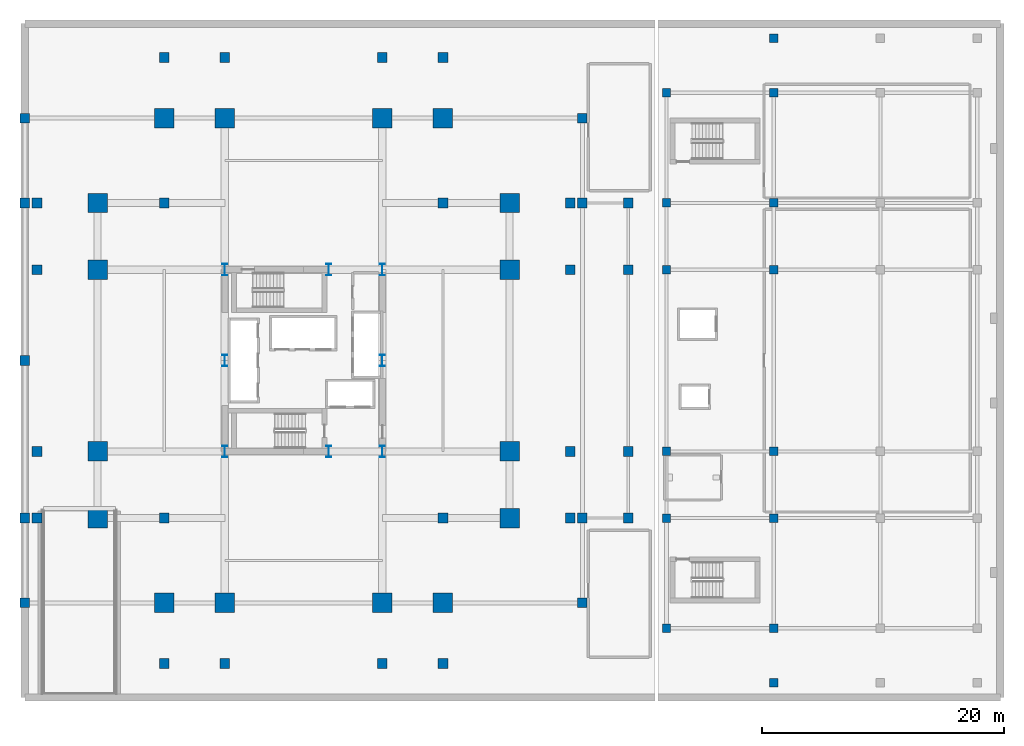
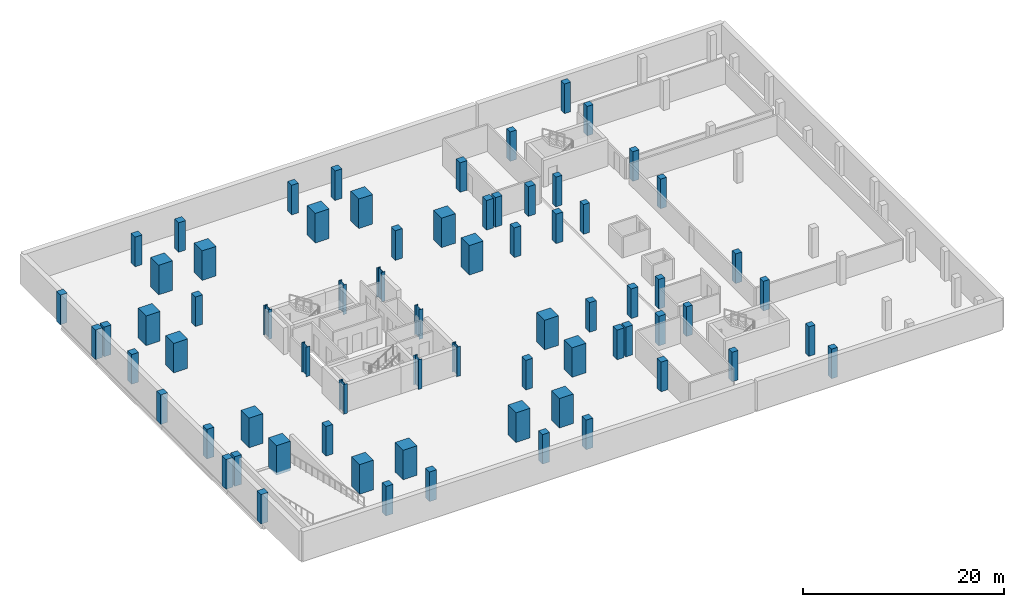
# One storey, part 1 of 11: 71 columns.
"""IFC4 building model written with IfcOpenShell, lengths in metres."""

from ifc_helpers import new_model, si_unit, direction, frame, origin, origin_2d, place, context, subcontext, project, spatial, rectangle, i_section, extrude, material, material_profile, profile_set, type_object, element, save


model = new_model("IFC4")

# Units and contexts
model_context = context("Model", 3, precision=1e-05, world=origin(), true_north=direction((0.0, 1.0)))
body_context = subcontext(model_context, "Body", "Model", "MODEL_VIEW")
ifc_project = project(units=[si_unit("LENGTHUNIT", "METRE"), si_unit("AREAUNIT", "SQUARE_METRE"), si_unit("VOLUMEUNIT", "CUBIC_METRE"), si_unit("PLANEANGLEUNIT", "RADIAN"), si_unit("MASSUNIT", "GRAM", prefix="KILO")], contexts=[model_context])

# Site, building, storey
site_placement = place(None, origin())
site = spatial("IfcSite", under=ifc_project, at=site_placement, CompositionType="ELEMENT")
building_placement = place(site_placement, origin())
building = spatial("IfcBuilding", under=site, at=building_placement, Name="Barlavira Tower and Art Museum", CompositionType="ELEMENT")
storey_placement = place(building_placement, frame((0.0, 0.0, -3.60009765625)))
storey = spatial("IfcBuildingStorey", under=building, at=storey_placement, Name="B01", CompositionType="ELEMENT", Elevation=-3.60009765625)

# Columns
ifc_material_1 = material(Name="Steel S355", Category="steel")
ifc_material_profile_1 = material_profile(ifc_material_1, i_section(OverallWidth=0.419921875, OverallDepth=0.9599609375, WebThickness=0.02197265625, FlangeThickness=0.033935546875, at=origin_2d()), Name="W920x387.0")
ifc_profile_set_1 = profile_set([ifc_material_profile_1], Name="Steel S355")
column_type_1 = type_object("IfcColumnType", Name="Core Composite Column W920x387 Steel S355", PredefinedType="COLUMN", material=ifc_profile_set_1)
for number, where, z_axis, x_axis, name in (
    (1, (-6.5, -7.5, 0.0), (0.0, 0.0, 1.0), (1.0, 0.0, 0.0), "B01 Column CC-B01-C1"),
    (2, (2.080078125, -7.5, 0.0), (0.0, 0.0, 1.0), (1.0, 0.0, 0.0), "B01 Column CC-B01-C2"),
    (3, (6.5, -7.5, 0.0), (0.0, 0.0, 1.0), (1.0, 0.0, 0.0), "B01 Column CC-B01-C3"),
    (4, (-6.5, 0.0, 0.0), (0.0, 0.0, 1.0), (1.0, 0.0, 0.0), "B01 Column CC-B01-C4"),
    (5, (6.5, 0.0, 0.0), (0.0, 0.0, 1.0), (1.0, 0.0, 0.0), "B01 Column CC-B01-C5"),
    (6, (-6.5, 7.5, 0.0), (0.0, 0.0, 1.0), (1.0, 0.0, 0.0), "B01 Column CC-B01-C6"),
    (7, (2.080078125, 7.5, 0.0), (0.0, 0.0, 1.0), (1.0, 0.0, 0.0), "B01 Column CC-B01-C7"),
    (8, (6.5, 7.5, 0.0), (0.0, 0.0, 1.0), (1.0, 0.0, 0.0), "B01 Column CC-B01-C8"),
):
    element("IfcColumn", number, at=place(storey_placement, frame(where, z_axis=z_axis, x_axis=x_axis)), inside=storey, type_object=column_type_1, Name=name, PredefinedType="COLUMN", context=body_context, shape_type="SweptSolid", body=[
        extrude(i_section(OverallWidth=0.419921875, OverallDepth=0.9599609375, WebThickness=0.02197265625, FlangeThickness=0.033935546875, at=origin_2d()), origin(), (0.0, 0.0, 1.0), 3.60009765625),
    ])
ifc_material_2 = material(Name="Concrete C50", Category="concrete")
ifc_material_profile_2 = material_profile(ifc_material_2, rectangle(XDim=0.699951171875, YDim=0.699951171875, at=origin_2d()), Name="RC-COL 700x700")
ifc_profile_set_2 = profile_set([ifc_material_profile_2], Name="Concrete C50")
column_type_2 = type_object("IfcColumnType", Name="Museum Frame Column 700x700 Concrete C50", PredefinedType="COLUMN", material=ifc_profile_set_2)
for number, where, z_axis, x_axis, name in (
    (9, (38.800048828125, -26.60009765625, 0.0), (0.0, 0.0, 1.0), (1.0, 0.0, 0.0), "B01 Pergola Column 1"),
    (10, (38.800048828125, 26.60009765625, 0.0), (0.0, 0.0, 1.0), (1.0, 0.0, 0.0), "B01 Pergola Column 4"),
    (11, (29.949951171875, -22.10009765625, 0.0), (0.0, 0.0, 1.0), (1.0, 0.0, 0.0), "B01 Museum Column 1-1"),
    (12, (29.949951171875, -13.0, 0.0), (0.0, 0.0, 1.0), (1.0, 0.0, 0.0), "B01 Museum Column 1-2"),
    (13, (29.949951171875, -7.5, 0.0), (0.0, 0.0, 1.0), (1.0, 0.0, 0.0), "B01 Museum Column 1-3"),
    (14, (29.949951171875, 7.5, 0.0), (0.0, 0.0, 1.0), (1.0, 0.0, 0.0), "B01 Museum Column 1-4"),
    (15, (29.949951171875, 13.0, 0.0), (0.0, 0.0, 1.0), (1.0, 0.0, 0.0), "B01 Museum Column 1-5"),
    (16, (29.949951171875, 22.10009765625, 0.0), (0.0, 0.0, 1.0), (1.0, 0.0, 0.0), "B01 Museum Column 1-6"),
    (17, (38.800048828125, -22.10009765625, 0.0), (0.0, 0.0, 1.0), (1.0, 0.0, 0.0), "B01 Museum Column 2-1"),
    (18, (38.800048828125, -13.0, 0.0), (0.0, 0.0, 1.0), (1.0, 0.0, 0.0), "B01 Museum Column 2-2"),
    (19, (38.800048828125, -7.5, 0.0), (0.0, 0.0, 1.0), (1.0, 0.0, 0.0), "B01 Museum Column 2-3"),
    (20, (38.800048828125, 7.5, 0.0), (0.0, 0.0, 1.0), (1.0, 0.0, 0.0), "B01 Museum Column 2-4"),
    (21, (38.800048828125, 13.0, 0.0), (0.0, 0.0, 1.0), (1.0, 0.0, 0.0), "B01 Museum Column 2-5"),
    (22, (38.800048828125, 22.10009765625, 0.0), (0.0, 0.0, 1.0), (1.0, 0.0, 0.0), "B01 Museum Column 2-6"),
):
    element("IfcColumn", number, at=place(storey_placement, frame(where, z_axis=z_axis, x_axis=x_axis)), inside=storey, type_object=column_type_2, Name=name, PredefinedType="COLUMN", context=body_context, shape_type="SweptSolid", body=[
        extrude(rectangle(XDim=0.699951171875, YDim=0.699951171875, at=origin_2d()), origin(), (0.0, 0.0, 1.0), 3.60009765625),
    ])
ifc_material_3 = material(Name="Concrete C60", Category="concrete")
ifc_material_profile_3 = material_profile(ifc_material_3, rectangle(XDim=1.60009765625, YDim=1.60009765625, at=origin_2d()), Name="RC-MCOL 1600x1600")
ifc_profile_set_3 = profile_set([ifc_material_profile_3], Name="Concrete C60")
column_type_3 = type_object("IfcColumnType", Name="Perimeter Mega Column 1600x1600 Concrete C60", PredefinedType="USERDEFINED", material=ifc_profile_set_3)
for number, where, z_axis, x_axis, name in (
    (23, (-11.5, -20.0, 0.0), (0.0, 0.0, 1.0), (1.0, 0.0, 0.0), "B01 Column MC-B01-M01"),
    (24, (-6.5, -20.0, 0.0), (0.0, 0.0, 1.0), (1.0, 0.0, 0.0), "B01 Column MC-B01-M02"),
    (25, (6.5, -20.0, 0.0), (0.0, 0.0, 1.0), (1.0, 0.0, 0.0), "B01 Column MC-B01-M03"),
    (26, (11.5, -20.0, 0.0), (0.0, 0.0, 1.0), (1.0, 0.0, 0.0), "B01 Column MC-B01-M04"),
    (27, (17.0, -13.0, 0.0), (0.0, 0.0, 1.0), (1.0, 0.0, 0.0), "B01 Column MC-B01-M05"),
    (28, (17.0, -7.5, 0.0), (0.0, 0.0, 1.0), (1.0, 0.0, 0.0), "B01 Column MC-B01-M06"),
    (29, (17.0, 7.5, 0.0), (0.0, 0.0, 1.0), (1.0, 0.0, 0.0), "B01 Column MC-B01-M07"),
    (30, (17.0, 13.0, 0.0), (0.0, 0.0, 1.0), (1.0, 0.0, 0.0), "B01 Column MC-B01-M08"),
    (31, (11.5, 20.0, 0.0), (0.0, 0.0, 1.0), (1.0, 0.0, 0.0), "B01 Column MC-B01-M09"),
    (32, (6.5, 20.0, 0.0), (0.0, 0.0, 1.0), (1.0, 0.0, 0.0), "B01 Column MC-B01-M10"),
    (33, (-6.5, 20.0, 0.0), (0.0, 0.0, 1.0), (1.0, 0.0, 0.0), "B01 Column MC-B01-M11"),
    (34, (-11.5, 20.0, 0.0), (0.0, 0.0, 1.0), (1.0, 0.0, 0.0), "B01 Column MC-B01-M12"),
    (35, (-17.0, 13.0, 0.0), (0.0, 0.0, 1.0), (1.0, 0.0, 0.0), "B01 Column MC-B01-M13"),
    (36, (-17.0, 7.5, 0.0), (0.0, 0.0, 1.0), (1.0, 0.0, 0.0), "B01 Column MC-B01-M14"),
    (37, (-17.0, -7.5, 0.0), (0.0, 0.0, 1.0), (1.0, 0.0, 0.0), "B01 Column MC-B01-M15"),
    (38, (-17.0, -13.0, 0.0), (0.0, 0.0, 1.0), (1.0, 0.0, 0.0), "B01 Column MC-B01-M16"),
):
    element("IfcColumn", number, at=place(storey_placement, frame(where, z_axis=z_axis, x_axis=x_axis)), inside=storey, type_object=column_type_3, Name=name, ObjectType="MEGA COLUMN", PredefinedType="USERDEFINED", context=body_context, shape_type="SweptSolid", body=[
        extrude(rectangle(XDim=1.60009765625, YDim=1.60009765625, at=origin_2d()), origin(), (0.0, 0.0, 1.0), 3.60009765625),
    ])
ifc_material_profile_4 = material_profile(ifc_material_2, rectangle(XDim=0.800048828125, YDim=0.800048828125, at=origin_2d()), Name="RC-COL 800x800")
ifc_profile_set_4 = profile_set([ifc_material_profile_4], Name="Concrete C50")
column_type_4 = type_object("IfcColumnType", Name="Podium Frame Column 800x800 Concrete C50", PredefinedType="COLUMN", material=ifc_profile_set_4)
for number, where, z_axis, x_axis, name in (
    (39, (-23.0, -20.0, 0.0), (0.0, 0.0, 1.0), (1.0, 0.0, 0.0), "B01 Column CP-B01-P1"),
    (40, (-23.0, -13.0, 0.0), (0.0, 0.0, 1.0), (1.0, 0.0, 0.0), "B01 Column CP-B01-P2"),
    (41, (-23.0, 0.0, 0.0), (0.0, 0.0, 1.0), (1.0, 0.0, 0.0), "B01 Column CP-B01-P3"),
    (42, (-23.0, 13.0, 0.0), (0.0, 0.0, 1.0), (1.0, 0.0, 0.0), "B01 Column CP-B01-P4"),
    (43, (-23.0, 20.0, 0.0), (0.0, 0.0, 1.0), (1.0, 0.0, 0.0), "B01 Column CP-B01-P5"),
    (44, (23.0, -20.0, 0.0), (0.0, 0.0, 1.0), (1.0, 0.0, 0.0), "B01 Column CP-B01-P6"),
    (45, (23.0, -13.0, 0.0), (0.0, 0.0, 1.0), (1.0, 0.0, 0.0), "B01 Column CP-B01-P7"),
    (46, (23.0, 13.0, 0.0), (0.0, 0.0, 1.0), (1.0, 0.0, 0.0), "B01 Column CP-B01-P8"),
    (47, (23.0, 20.0, 0.0), (0.0, 0.0, 1.0), (1.0, 0.0, 0.0), "B01 Column CP-B01-P9"),
    (48, (-11.5, -13.0, 0.0), (0.0, 0.0, 1.0), (1.0, 0.0, 0.0), "B01 Column CI-B01-I1"),
    (49, (11.5, -13.0, 0.0), (0.0, 0.0, 1.0), (1.0, 0.0, 0.0), "B01 Column CI-B01-I2"),
    (50, (-11.5, 13.0, 0.0), (0.0, 0.0, 1.0), (1.0, 0.0, 0.0), "B01 Column CI-B01-I3"),
    (51, (11.5, 13.0, 0.0), (0.0, 0.0, 1.0), (1.0, 0.0, 0.0), "B01 Column CI-B01-I4"),
    (52, (-11.5, -25.0, 0.0), (0.0, 0.0, 1.0), (1.0, 0.0, 0.0), "B01 Column CZ1-B01-N01"),
    (53, (-6.5, -25.0, 0.0), (0.0, 0.0, 1.0), (1.0, 0.0, 0.0), "B01 Column CZ1-B01-N02"),
    (54, (6.5, -25.0, 0.0), (0.0, 0.0, 1.0), (1.0, 0.0, 0.0), "B01 Column CZ1-B01-N02B"),
    (55, (11.5, -25.0, 0.0), (0.0, 0.0, 1.0), (1.0, 0.0, 0.0), "B01 Column CZ1-B01-N03"),
    (56, (-22.0, -13.0, 0.0), (0.0, 0.0, 1.0), (1.0, 0.0, 0.0), "B01 Column CZ1-B01-N04"),
    (57, (-22.0, -7.5, 0.0), (0.0, 0.0, 1.0), (1.0, 0.0, 0.0), "B01 Column CZ1-B01-N05"),
    (58, (-22.0, 7.5, 0.0), (0.0, 0.0, 1.0), (1.0, 0.0, 0.0), "B01 Column CZ1-B01-N05B"),
    (59, (-22.0, 13.0, 0.0), (0.0, 0.0, 1.0), (1.0, 0.0, 0.0), "B01 Column CZ1-B01-N06"),
    (60, (-11.5, 25.0, 0.0), (0.0, 0.0, 1.0), (1.0, 0.0, 0.0), "B01 Column CZ1-B01-N07"),
    (61, (-6.5, 25.0, 0.0), (0.0, 0.0, 1.0), (1.0, 0.0, 0.0), "B01 Column CZ1-B01-N08"),
    (62, (6.5, 25.0, 0.0), (0.0, 0.0, 1.0), (1.0, 0.0, 0.0), "B01 Column CZ1-B01-N08B"),
    (63, (11.5, 25.0, 0.0), (0.0, 0.0, 1.0), (1.0, 0.0, 0.0), "B01 Column CZ1-B01-N09"),
    (64, (22.0, -13.0, 0.0), (0.0, 0.0, 1.0), (1.0, 0.0, 0.0), "B01 Column CZ1-B01-N10"),
    (65, (22.0, -7.5, 0.0), (0.0, 0.0, 1.0), (1.0, 0.0, 0.0), "B01 Column CZ1-B01-N11"),
    (66, (22.0, 7.5, 0.0), (0.0, 0.0, 1.0), (1.0, 0.0, 0.0), "B01 Column CZ1-B01-N11B"),
    (67, (22.0, 13.0, 0.0), (0.0, 0.0, 1.0), (1.0, 0.0, 0.0), "B01 Column CZ1-B01-N12"),
    (68, (26.800048828125, -13.0, 0.0), (0.0, 0.0, 1.0), (1.0, 0.0, 0.0), "B01 Arcade Column 1"),
    (69, (26.800048828125, -7.5, 0.0), (0.0, 0.0, 1.0), (1.0, 0.0, 0.0), "B01 Arcade Column 2"),
    (70, (26.800048828125, 7.5, 0.0), (0.0, 0.0, 1.0), (1.0, 0.0, 0.0), "B01 Arcade Column 3"),
    (71, (26.800048828125, 13.0, 0.0), (0.0, 0.0, 1.0), (1.0, 0.0, 0.0), "B01 Arcade Column 4"),
):
    element("IfcColumn", number, at=place(storey_placement, frame(where, z_axis=z_axis, x_axis=x_axis)), inside=storey, type_object=column_type_4, Name=name, PredefinedType="COLUMN", context=body_context, shape_type="SweptSolid", body=[
        extrude(rectangle(XDim=0.800048828125, YDim=0.800048828125, at=origin_2d()), origin(), (0.0, 0.0, 1.0), 3.60009765625),
    ])

save(model, "model.ifc")
